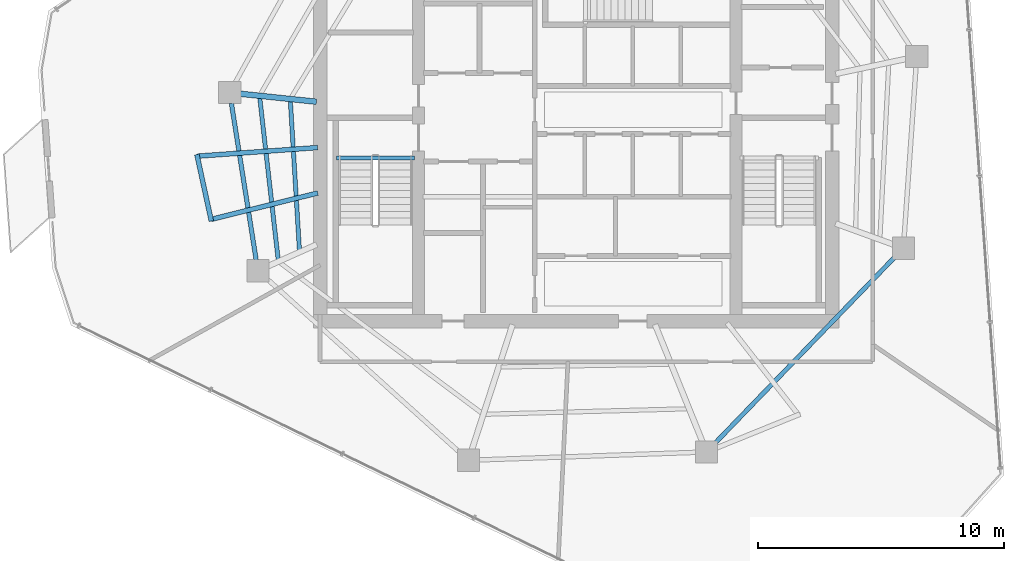
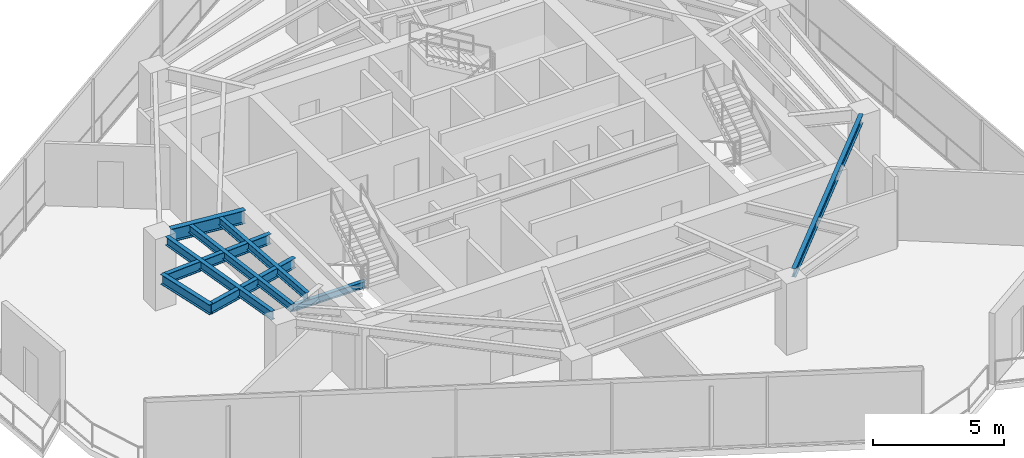
# One storey, part 6 of 20: 9 beams.
"""IFC4 building model written with IfcOpenShell, lengths in metres."""

from ifc_helpers import new_model, si_unit, direction, frame, origin, origin_2d, place, context, subcontext, project, spatial, i_section, extrude, material, material_profile, profile_set, type_object, element, save


model = new_model("IFC4")

# Units and contexts
model_context = context("Model", 3, precision=1e-05, world=origin(), true_north=direction((0.0, 1.0)))
body_context = subcontext(model_context, "Body", "Model", "MODEL_VIEW")
ifc_project = project(units=[si_unit("LENGTHUNIT", "METRE"), si_unit("AREAUNIT", "SQUARE_METRE"), si_unit("VOLUMEUNIT", "CUBIC_METRE"), si_unit("PLANEANGLEUNIT", "RADIAN"), si_unit("MASSUNIT", "GRAM", prefix="KILO")], contexts=[model_context])

# Site, building, storey
site_placement = place(None, origin())
site = spatial("IfcSite", under=ifc_project, at=site_placement, CompositionType="ELEMENT")
building_placement = place(site_placement, origin())
building = spatial("IfcBuilding", under=site, at=building_placement, Name="Qarnah Convention Tower", CompositionType="ELEMENT")
storey_placement = place(building_placement, frame((0.0, 0.0, 195.0)))
storey = spatial("IfcBuildingStorey", under=building, at=storey_placement, Name="L52", CompositionType="ELEMENT", Elevation=195.0)

# Beams
ifc_material = material(Name="Structural steel S355JR", Category="steel")
ifc_material_profile_1 = material_profile(ifc_material, i_section(OverallWidth=0.19189453125, OverallDepth=0.464111328125, WebThickness=0.010986328125, FlangeThickness=0.01806640625, at=origin_2d()), Name="W460X89")
ifc_profile_set_1 = profile_set([ifc_material_profile_1], Name="Structural steel S355JR")
beam_type_1 = type_object("IfcBeamType", Name="BM-CANT-W460A", PredefinedType="BEAM", material=ifc_profile_set_1)
beam_1_placement = place(storey_placement, frame((26.699951171875, 25.64794921875, 3.087890625), z_axis=(-0.997436151804, -0.071562022574, 0.0), x_axis=(0.071562022574, -0.997436151804, 0.0)))
element("IfcBeam", 1, at=beam_1_placement, inside=storey, type_object=beam_type_1, Name="L52 beam BM-L52-CNT-02-1", PredefinedType="BEAM", context=body_context, shape_type="SweptSolid", body=[
    extrude(i_section(OverallWidth=0.19189453125, OverallDepth=0.464111328125, WebThickness=0.010986328125, FlangeThickness=0.01806640625, at=origin_2d()), origin(), (0.0, 0.0, 1.0), 4.90234375),
])
beam_2_placement = place(storey_placement, frame((26.702880859375, 23.802001953125, 3.087890625), z_axis=(-0.970718465503, -0.240220025669, 0.0), x_axis=(0.240220025669, -0.970718465503, 0.0)))
element("IfcBeam", 2, at=beam_2_placement, inside=storey, type_object=beam_type_1, Name="L52 beam BM-L52-CNT-02-2", PredefinedType="BEAM", context=body_context, shape_type="SweptSolid", body=[
    extrude(i_section(OverallWidth=0.19189453125, OverallDepth=0.464111328125, WebThickness=0.010986328125, FlangeThickness=0.01806640625, at=origin_2d()), origin(), (0.0, 0.0, 1.0), 4.466796875),
])
beam_3_placement = place(storey_placement, frame((21.794921875, 25.364990234375, 3.087890625), z_axis=(0.212191546233, -0.977228094002, 0.0), x_axis=(0.977228094002, 0.212191546233, 0.0)))
element("IfcBeam", 3, at=beam_3_placement, inside=storey, type_object=beam_type_1, Name="L52 spandrel BM-L52-CTIE-02", PredefinedType="SPANDREL", context=body_context, shape_type="SweptSolid", body=[
    extrude(i_section(OverallWidth=0.19189453125, OverallDepth=0.464111328125, WebThickness=0.010986328125, FlangeThickness=0.01806640625, at=origin_2d()), origin(), (0.0, 0.0, 1.0), 2.76708984375),
])
ifc_material_profile_2 = material_profile(ifc_material, i_section(OverallWidth=0.166015625, OverallDepth=0.31201171875, WebThickness=0.007080078125, FlangeThickness=0.010986328125, at=origin_2d()), Name="W310X45")
ifc_profile_set_2 = profile_set([ifc_material_profile_2], Name="Structural steel S355JR")
beam_type_2 = type_object("IfcBeamType", Name="BM-JST-W310", PredefinedType="JOIST", material=ifc_profile_set_2)
beam_4_placement = place(storey_placement, frame((27.4599609375, 25.217041015625, -0.156005859375), z_axis=(1.0, 0.0, 0.0), x_axis=(0.0, 1.0, 0.0)))
element("IfcBeam", 4, at=beam_4_placement, inside=storey, type_object=beam_type_2, Name="L52 stair landing trimmer beam BM-L52-ST1-TRM", PredefinedType="BEAM", context=body_context, shape_type="SweptSolid", body=[
    extrude(i_section(OverallWidth=0.166015625, OverallDepth=0.31201171875, WebThickness=0.007080078125, FlangeThickness=0.010986328125, at=origin_2d()), origin(), (0.0, 0.0, 1.0), 3.179931640625),
])
ifc_material_profile_3 = material_profile(ifc_material, i_section(OverallWidth=0.172119140625, OverallDepth=0.35595703125, WebThickness=0.007080078125, FlangeThickness=0.011962890625, at=origin_2d()), Name="W360X51")
ifc_profile_set_3 = profile_set([ifc_material_profile_3], Name="Structural steel S355JR")
beam_type_3 = type_object("IfcBeamType", Name="BM-JST-W360", PredefinedType="JOIST", material=ifc_profile_set_3)
beam_5_placement = place(storey_placement, frame((24.35009765625, 27.6630859375, 3.14208984375), z_axis=(0.113147043355, -0.993578253878, 0.0), x_axis=(0.993578253878, 0.113147043355, 0.0)))
element("IfcBeam", 5, at=beam_5_placement, inside=storey, type_object=beam_type_3, Name="L52 joist BM-L52-SJST-05", PredefinedType="JOIST", context=body_context, shape_type="SweptSolid", body=[
    extrude(i_section(OverallWidth=0.172119140625, OverallDepth=0.35595703125, WebThickness=0.007080078125, FlangeThickness=0.011962890625, at=origin_2d()), origin(), (0.0, 0.0, 1.0), 6.6005859375),
])
beam_6_placement = place(storey_placement, frame((25.593017578125, 27.530029296875, 3.14208984375), z_axis=(0.060791013083, -0.998150516069, 0.0), x_axis=(0.998150516069, 0.060791013083, 0.0)))
element("IfcBeam", 6, at=beam_6_placement, inside=storey, type_object=beam_type_3, Name="L52 joist BM-L52-IJST-05", PredefinedType="JOIST", context=body_context, shape_type="SweptSolid", body=[
    extrude(i_section(OverallWidth=0.172119140625, OverallDepth=0.35595703125, WebThickness=0.007080078125, FlangeThickness=0.011962890625, at=origin_2d()), origin(), (0.0, 0.0, 1.0), 6.05224609375),
])
ifc_material_profile_4 = material_profile(ifc_material, i_section(OverallWidth=0.22802734375, OverallDepth=0.60791015625, WebThickness=0.010986328125, FlangeThickness=0.01708984375, at=origin_2d()), Name="W610X113")
ifc_profile_set_4 = profile_set([ifc_material_profile_4], Name="Structural steel S355JR")
beam_type_4 = type_object("IfcBeamType", Name="BM-RAD-W610B", PredefinedType="BEAM", material=ifc_profile_set_4)
beam_7_placement = place(storey_placement, frame((26.65087890625, 27.509033203125, 3.01611328125), z_axis=(-0.99453335923, 0.104419334317, 0.0), x_axis=(-0.104419334317, -0.99453335923, 0.0)))
element("IfcBeam", 7, at=beam_7_placement, inside=storey, type_object=beam_type_4, Name="L52 beam BM-L52-RAD-05", PredefinedType="BEAM", context=body_context, shape_type="SweptSolid", body=[
    extrude(i_section(OverallWidth=0.22802734375, OverallDepth=0.60791015625, WebThickness=0.010986328125, FlangeThickness=0.01708984375, at=origin_2d()), origin(), (0.0, 0.0, 1.0), 3.112060546875),
])
ifc_material_profile_5 = material_profile(ifc_material, i_section(OverallWidth=0.179931640625, OverallDepth=0.39990234375, WebThickness=0.009033203125, FlangeThickness=0.013916015625, at=origin_2d()), Name="IPE400")
ifc_profile_set_5 = profile_set([ifc_material_profile_5], Name="Structural steel S355JR")
beam_type_5 = type_object("IfcBeamType", Name="BM-SPN-IPE400", PredefinedType="SPANDREL", material=ifc_profile_set_5)
beam_8_placement = place(storey_placement, frame((23.197021484375, 27.444091796875, 3.1201171875), z_axis=(0.156301127146, -0.987709450017, 0.0), x_axis=(0.987709450017, 0.156301127146, 0.0)))
element("IfcBeam", 8, at=beam_8_placement, inside=storey, type_object=beam_type_5, Name="L52 spandrel BM-L52-SPN-05", PredefinedType="SPANDREL", context=body_context, shape_type="SweptSolid", body=[
    extrude(i_section(OverallWidth=0.179931640625, OverallDepth=0.39990234375, WebThickness=0.009033203125, FlangeThickness=0.013916015625, at=origin_2d()), origin(), (0.0, 0.0, 1.0), 6.443115234375),
])
beam_9_placement = place(storey_placement, frame((42.806884765625, 13.596923828125, 3.1201171875), z_axis=(0.694676898282, 0.719321907767, 0.0), x_axis=(-0.719321907767, 0.694676898282, 0.0)))
element("IfcBeam", 9, at=beam_9_placement, inside=storey, type_object=beam_type_5, Name="L52 spandrel BM-L52-SPN-08", PredefinedType="SPANDREL", context=body_context, shape_type="SweptSolid", body=[
    extrude(i_section(OverallWidth=0.179931640625, OverallDepth=0.39990234375, WebThickness=0.009033203125, FlangeThickness=0.013916015625, at=origin_2d()), origin(), (0.0, 0.0, 1.0), 10.62939453125),
])

save(model, "model.ifc")
